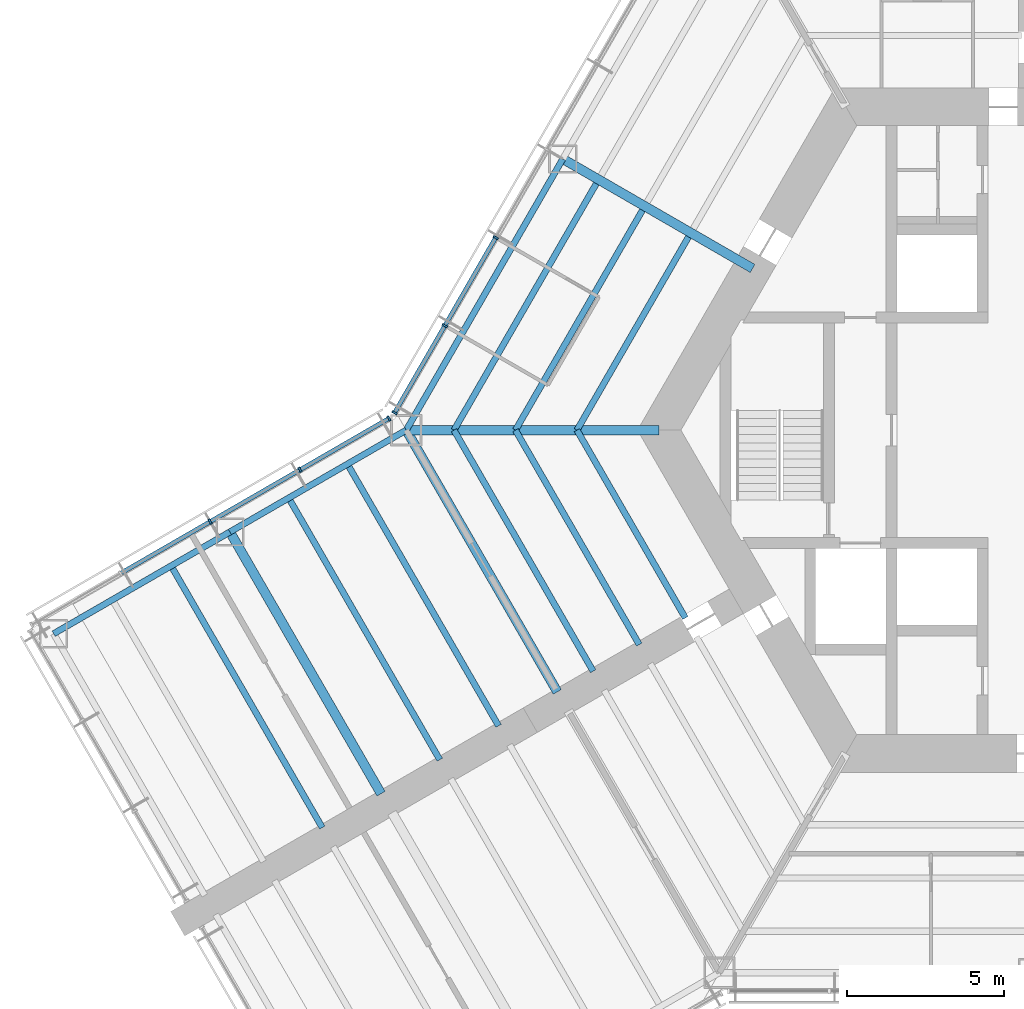
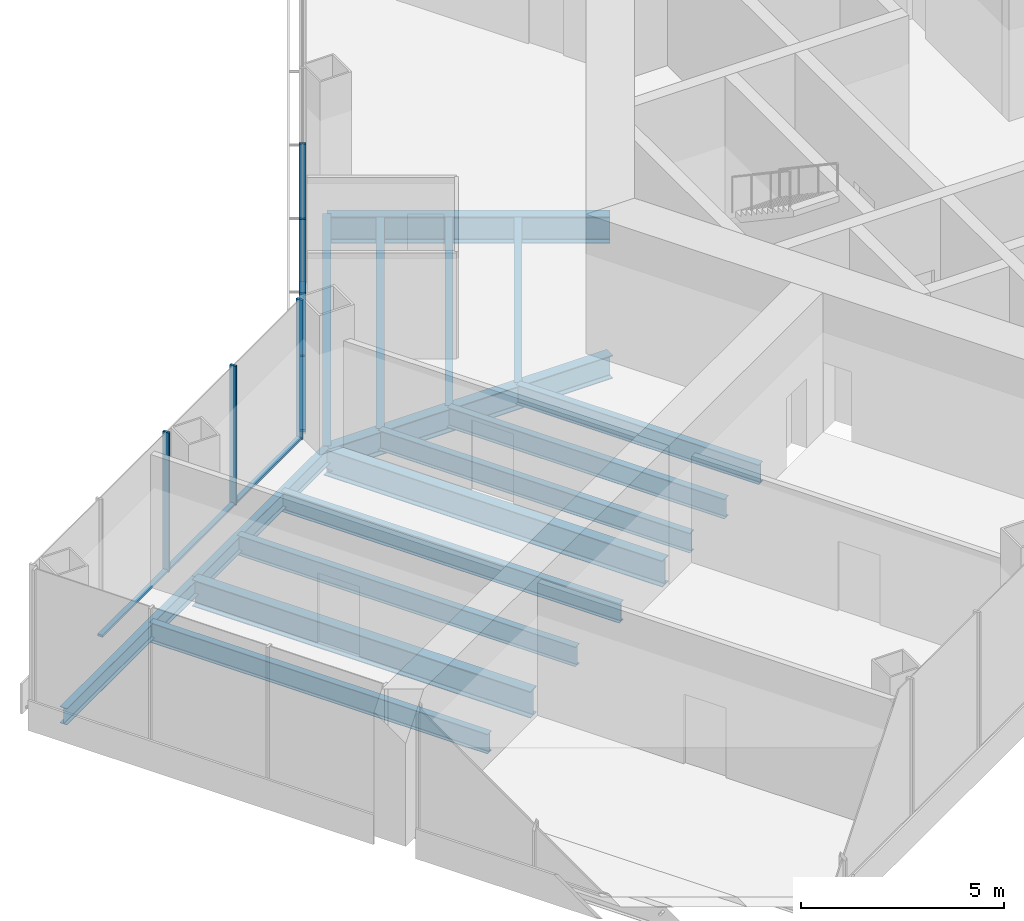
# One storey, part 3 of 16: 16 beams, 11 members, 2 elements without a shape of their own.
"""IFC4 building model written with IfcOpenShell, lengths in metres."""

from ifc_helpers import new_model, si_unit, direction, frame, origin, origin_2d, place, context, subcontext, project, spatial, rectangle, i_section, extrude, material, material_profile, profile_set, type_object, element, aggregate, save


model = new_model("IFC4")

# Units and contexts
model_context = context("Model", 3, precision=1e-05, world=origin(), true_north=direction((0.0, 1.0)))
body_context = subcontext(model_context, "Body", "Model", "MODEL_VIEW")
ifc_project = project(units=[si_unit("LENGTHUNIT", "METRE"), si_unit("AREAUNIT", "SQUARE_METRE"), si_unit("VOLUMEUNIT", "CUBIC_METRE"), si_unit("PLANEANGLEUNIT", "RADIAN"), si_unit("MASSUNIT", "GRAM", prefix="KILO")], contexts=[model_context])

# Site, building, storey
site_placement = place(None, origin())
site = spatial("IfcSite", under=ifc_project, at=site_placement, CompositionType="ELEMENT")
building_placement = place(site_placement, origin())
building = spatial("IfcBuilding", under=site, at=building_placement, Name="Kasaneha Research Tower", CompositionType="ELEMENT")
storey_placement = place(building_placement, frame((0.0, 0.0, 22.60009765625)))
storey = spatial("IfcBuildingStorey", under=building, at=storey_placement, Name="L06", CompositionType="ELEMENT", Elevation=22.60009765625)

# Beams
ifc_material_1 = material(Name="Steel SN490B", Category="steel")
ifc_material_profile_1 = material_profile(ifc_material_1, i_section(OverallWidth=0.199951171875, OverallDepth=0.60009765625, WebThickness=0.010986328125, FlangeThickness=0.01708984375, FilletRadius=0.012939453125, at=origin_2d()), Name="H-600x200x11x17")
ifc_profile_set_1 = profile_set([ifc_material_profile_1], Name="Steel SN490B")
beam_type_1 = type_object("IfcBeamType", Name="B1-1 secondary beam H-600x200x11x17", PredefinedType="JOIST", material=ifc_profile_set_1)
beam_1_placement = place(storey_placement, frame((-14.54931640625, 0.0, -0.5), z_axis=(0.500016104636, 0.866016105569, 0.0), x_axis=(-0.866016105569, 0.500016104636, 0.0)))
element("IfcBeam", 1, at=beam_1_placement, inside=storey, type_object=beam_type_1, Name="Secondary beam RS150R1 L06", PredefinedType="JOIST", context=body_context, shape_type="SweptSolid", body=[
    extrude(i_section(OverallWidth=0.199951171875, OverallDepth=0.60009765625, WebThickness=0.010986328125, FlangeThickness=0.01708984375, FilletRadius=0.012939453125, at=origin_2d()), origin(), (0.0, 0.0, 1.0), 7.124755859375),
])
beam_2_placement = place(storey_placement, frame((-16.51220703125, 0.0, -0.5), z_axis=(0.49999707157, 0.866027094508, 0.0), x_axis=(-0.866027094508, 0.49999707157, 0.0)))
element("IfcBeam", 2, at=beam_2_placement, inside=storey, type_object=beam_type_1, Name="Secondary beam RS150R2 L06", PredefinedType="JOIST", context=body_context, shape_type="SweptSolid", body=[
    extrude(i_section(OverallWidth=0.199951171875, OverallDepth=0.60009765625, WebThickness=0.010986328125, FlangeThickness=0.01708984375, FilletRadius=0.012939453125, at=origin_2d()), origin(), (0.0, 0.0, 1.0), 8.10595703125),
])
beam_3_placement = place(storey_placement, frame((-18.47509765625, 0.0, -0.5), z_axis=(0.499990665392, 0.866030793056, 0.0), x_axis=(-0.866030793056, 0.499990665392, 0.0)))
element("IfcBeam", 3, at=beam_3_placement, inside=storey, type_object=beam_type_1, Name="Secondary beam RS150R3 L06", PredefinedType="JOIST", context=body_context, shape_type="SweptSolid", body=[
    extrude(i_section(OverallWidth=0.199951171875, OverallDepth=0.60009765625, WebThickness=0.010986328125, FlangeThickness=0.01708984375, FilletRadius=0.012939453125, at=origin_2d()), origin(), (0.0, 0.0, 1.0), 9.087646484375),
])
beam_4_placement = place(storey_placement, frame((-14.54931640625, 0.0, -0.5), z_axis=(0.500014420154, -0.866017078145, 0.0), x_axis=(0.866017078145, 0.500014420154, 0.0)))
element("IfcBeam", 4, at=beam_4_placement, inside=storey, type_object=beam_type_1, Name="Secondary beam RS210L1 L06", PredefinedType="JOIST", context=body_context, shape_type="SweptSolid", body=[
    extrude(i_section(OverallWidth=0.199951171875, OverallDepth=0.60009765625, WebThickness=0.010986328125, FlangeThickness=0.01708984375, FilletRadius=0.012939453125, at=origin_2d()), origin(), (0.0, 0.0, 1.0), 6.924560546875),
])
beam_5_placement = place(storey_placement, frame((-16.51220703125, 0.0, -0.5), z_axis=(0.500004902938, -0.866022573054, 0.0), x_axis=(0.866022573054, 0.500004902938, 0.0)))
element("IfcBeam", 5, at=beam_5_placement, inside=storey, type_object=beam_type_1, Name="Secondary beam RS210L2 L06", PredefinedType="JOIST", context=body_context, shape_type="SweptSolid", body=[
    extrude(i_section(OverallWidth=0.199951171875, OverallDepth=0.60009765625, WebThickness=0.010986328125, FlangeThickness=0.01708984375, FilletRadius=0.012939453125, at=origin_2d()), origin(), (0.0, 0.0, 1.0), 7.90625),
])
beam_6_placement = place(storey_placement, frame((-18.47509765625, 0.0, -0.5), z_axis=(0.499988779951, -0.866031881586, 0.0), x_axis=(0.866031881586, 0.499988779951, 0.0)))
element("IfcBeam", 6, at=beam_6_placement, inside=storey, type_object=beam_type_1, Name="Secondary beam RS210L3 L06", PredefinedType="JOIST", context=body_context, shape_type="SweptSolid", body=[
    extrude(i_section(OverallWidth=0.199951171875, OverallDepth=0.60009765625, WebThickness=0.010986328125, FlangeThickness=0.01708984375, FilletRadius=0.012939453125, at=origin_2d()), origin(), (0.0, 0.0, 1.0), 8.887451171875),
])
ifc_material_2 = material(Name="Steel SN490B", Category="steel")
ifc_material_profile_2 = material_profile(ifc_material_2, i_section(OverallWidth=0.198974609375, OverallDepth=0.595947265625, WebThickness=0.010009765625, FlangeThickness=0.014892578125, FilletRadius=0.012939453125, at=origin_2d()), Name="H-596x199x10x15")
ifc_profile_set_2 = profile_set([ifc_material_profile_2], Name="Steel SN490B")
beam_type_2 = type_object("IfcBeamType", Name="B2-1 secondary beam H-596x199x10x15", PredefinedType="JOIST", material=ifc_profile_set_2)
beam_7_placement = place(storey_placement, frame((-21.87646484375, -1.083251953125, -0.498046875), z_axis=(0.500013717211, -0.866017484004, 0.0), x_axis=(0.866017484004, 0.500013717211, 0.0)))
element("IfcBeam", 7, at=beam_7_placement, inside=storey, type_object=beam_type_2, Name="Secondary beam WBBP1 L06", PredefinedType="JOIST", context=body_context, shape_type="SweptSolid", body=[
    extrude(i_section(OverallWidth=0.198974609375, OverallDepth=0.595947265625, WebThickness=0.010009765625, FlangeThickness=0.014892578125, FilletRadius=0.012939453125, at=origin_2d()), origin(), (0.0, 0.0, 1.0), 9.650146484375),
])
for number, where, z_axis, x_axis, name in (
    (8, (-23.752685546875, -2.166748046875, -0.498046875), (0.499994742786, -0.866028439017, 0.0), (0.866028439017, 0.499994742786, 0.0), "Secondary beam WBBP2 L06"),
    (9, (-27.505615234375, -4.333251953125, -0.498046875), (0.499994742786, -0.866028439017, 0.0), (0.866028439017, 0.499994742786, 0.0), "Secondary beam WBBP3 L06"),
):
    element("IfcBeam", number, at=place(storey_placement, frame(where, z_axis=z_axis, x_axis=x_axis)), inside=storey, type_object=beam_type_2, Name=name, PredefinedType="JOIST", context=body_context, shape_type="SweptSolid", body=[
        extrude(i_section(OverallWidth=0.198974609375, OverallDepth=0.595947265625, WebThickness=0.010009765625, FlangeThickness=0.014892578125, FilletRadius=0.012939453125, at=origin_2d()), origin(), (0.0, 0.0, 1.0), 9.64990234375),
    ])

# Curtain wall, members
ifc_material_3 = material(Name="Glass and aluminium", Category="aluminium")
curtain_wall_type = type_object("IfcCurtainWallType", Name="Wet laboratory curtain wall", PredefinedType="USERDEFINED", material=ifc_material_3)
curtain_wall_1_placement = place(storey_placement, origin())
curtain_wall_1 = element("IfcCurtainWall", 10, at=curtain_wall_1_placement, inside=storey, type_object=curtain_wall_type, Name="CW-L1 L06 run 12a", ObjectType="UNITISED CURTAIN WALL", PredefinedType="USERDEFINED")
ifc_material_4 = material(Name="Aluminium 6063-T6", Category="aluminium")
ifc_material_profile_3 = material_profile(ifc_material_4, rectangle(XDim=0.06494140625, YDim=0.179931640625, at=origin_2d()), Name="CW-L1 mullion 65x180")
ifc_profile_set_3 = profile_set([ifc_material_profile_3], Name="Aluminium 6063-T6")
member_type_1 = type_object("IfcMemberType", Name="CW-L1 mullion", PredefinedType="MULLION", material=ifc_profile_set_3)
member_1_placement = place(storey_placement, frame((-17.142822265625, 6.148681640625, 0.0), z_axis=(0.0, 0.0, 1.0), x_axis=(-0.49999996188, -0.866025425793, 0.0)))
member_1 = element("IfcMember", 11, at=member_1_placement, type_object=member_type_1, Name="CW-L1 mullion 5", PredefinedType="MULLION", context=body_context, shape_type="SweptSolid", body=[
    extrude(rectangle(XDim=0.06494140625, YDim=0.179931640625, at=origin_2d()), origin(), (0.0, 0.0, 1.0), 4.199951171875),
])
member_2_placement = place(storey_placement, frame((-18.76611328125, 3.33740234375, 0.0), z_axis=(0.0, 0.0, 1.0), x_axis=(-0.49999996188, -0.866025425793, 0.0)))
member_2 = element("IfcMember", 12, at=member_2_placement, type_object=member_type_1, Name="CW-L1 mullion 6", PredefinedType="MULLION", context=body_context, shape_type="SweptSolid", body=[
    extrude(rectangle(XDim=0.06494140625, YDim=0.179931640625, at=origin_2d()), origin(), (0.0, 0.0, 1.0), 4.199951171875),
])
member_3_placement = place(storey_placement, frame((-20.373046875, 0.553955078125, 0.0), z_axis=(0.0, 0.0, 1.0), x_axis=(-0.49999996188, -0.866025425793, 0.0)))
member_3 = element("IfcMember", 13, at=member_3_placement, type_object=member_type_1, Name="CW-L1 mullion 7", PredefinedType="MULLION", context=body_context, shape_type="SweptSolid", body=[
    extrude(rectangle(XDim=0.06494140625, YDim=0.179931640625, at=origin_2d()), origin(), (0.0, 0.0, 1.0), 4.199951171875),
])

curtain_wall_2_placement = place(storey_placement, origin())
curtain_wall_2 = element("IfcCurtainWall", 14, at=curtain_wall_2_placement, inside=storey, type_object=curtain_wall_type, Name="CW-L1 L06 run 13a", ObjectType="UNITISED CURTAIN WALL", PredefinedType="USERDEFINED")
member_4_placement = place(storey_placement, frame((-20.553955078125, 0.373046875, 0.0), z_axis=(0.0, 0.0, 1.0), x_axis=(-0.866025411464, -0.499999986699, 0.0)))
member_4 = element("IfcMember", 15, at=member_4_placement, type_object=member_type_1, Name="CW-L1 mullion 1", PredefinedType="MULLION", context=body_context, shape_type="SweptSolid", body=[
    extrude(rectangle(XDim=0.06494140625, YDim=0.179931640625, at=origin_2d()), origin(), (0.0, 0.0, 1.0), 4.199951171875),
])
member_5_placement = place(storey_placement, frame((-23.39208984375, -1.265625, 0.0), z_axis=(0.0, 0.0, 1.0), x_axis=(-0.866025411464, -0.499999986699, 0.0)))
member_5 = element("IfcMember", 16, at=member_5_placement, type_object=member_type_1, Name="CW-L1 mullion 2", PredefinedType="MULLION", context=body_context, shape_type="SweptSolid", body=[
    extrude(rectangle(XDim=0.06494140625, YDim=0.179931640625, at=origin_2d()), origin(), (0.0, 0.0, 1.0), 4.199951171875),
])
member_6_placement = place(storey_placement, frame((-26.258544921875, -2.920654296875, 0.0), z_axis=(0.0, 0.0, 1.0), x_axis=(-0.866025411464, -0.499999986699, 0.0)))
member_6 = element("IfcMember", 17, at=member_6_placement, type_object=member_type_1, Name="CW-L1 mullion 3", PredefinedType="MULLION", context=body_context, shape_type="SweptSolid", body=[
    extrude(rectangle(XDim=0.06494140625, YDim=0.179931640625, at=origin_2d()), origin(), (0.0, 0.0, 1.0), 4.199951171875),
])

# Member
ifc_material_5 = material(Name="Aluminium 6063-T6", Category="aluminium")
ifc_material_profile_4 = material_profile(ifc_material_5, rectangle(XDim=0.139892578125, YDim=0.06494140625, at=origin_2d()), Name="CW-L1 transom 140x65")
ifc_profile_set_4 = profile_set([ifc_material_profile_4], Name="Aluminium 6063-T6")
member_type_2 = type_object("IfcMemberType", Name="CW-L1 transom", PredefinedType="USERDEFINED", material=ifc_profile_set_4)
member_7_placement = place(storey_placement, frame((-17.1591796875, 6.12060546875, 0.032470703125), z_axis=(-0.499977104415, -0.866038622153, 0.0), x_axis=(0.866038622153, -0.499977104415, 0.0)))
member_7 = element("IfcMember", 18, at=member_7_placement, type_object=member_type_2, Name="CW-L1 transom 5", ObjectType="TRANSOM", PredefinedType="USERDEFINED", context=body_context, shape_type="SweptSolid", body=[
    extrude(rectangle(XDim=0.139892578125, YDim=0.06494140625, at=origin_2d()), origin(), (0.0, 0.0, 1.0), 3.181396484375),
])

member_8_placement = place(storey_placement, frame((-18.7822265625, 3.30908203125, 0.032470703125), z_axis=(-0.49999985423, -0.866025487945, 0.0), x_axis=(0.866025487945, -0.49999985423, 0.0)))
member_8 = element("IfcMember", 19, at=member_8_placement, type_object=member_type_2, Name="CW-L1 transom 6", ObjectType="TRANSOM", PredefinedType="USERDEFINED", context=body_context, shape_type="SweptSolid", body=[
    extrude(rectangle(XDim=0.139892578125, YDim=0.06494140625, at=origin_2d()), origin(), (0.0, 0.0, 1.0), 3.14892578125),
])

aggregate(curtain_wall_1, [member_1, member_2, member_3, member_7, member_8])

member_9_placement = place(storey_placement, frame((-20.58203125, 0.356689453125, 0.032470703125), z_axis=(-0.866022320763, -0.500005339912, 0.0), x_axis=(0.500005339912, -0.866022320763, 0.0)))
member_9 = element("IfcMember", 20, at=member_9_placement, type_object=member_type_2, Name="CW-L1 transom 1", ObjectType="TRANSOM", PredefinedType="USERDEFINED", context=body_context, shape_type="SweptSolid", body=[
    extrude(rectangle(XDim=0.139892578125, YDim=0.06494140625, at=origin_2d()), origin(), (0.0, 0.0, 1.0), 3.21240234375),
])

member_10_placement = place(storey_placement, frame((-23.42041015625, -1.281982421875, 0.032470703125), z_axis=(-0.866035229914, -0.499982980259, 0.0), x_axis=(0.499982980259, -0.866035229914, 0.0)))
member_10 = element("IfcMember", 21, at=member_10_placement, type_object=member_type_2, Name="CW-L1 transom 2", ObjectType="TRANSOM", PredefinedType="USERDEFINED", context=body_context, shape_type="SweptSolid", body=[
    extrude(rectangle(XDim=0.139892578125, YDim=0.06494140625, at=origin_2d()), origin(), (0.0, 0.0, 1.0), 3.24462890625),
])

member_11_placement = place(storey_placement, frame((-26.28662109375, -2.936767578125, 0.032470703125), z_axis=(-0.866021460221, -0.500006830391, 0.0), x_axis=(0.500006830391, -0.866021460221, 0.0)))
member_11 = element("IfcMember", 22, at=member_11_placement, type_object=member_type_2, Name="CW-L1 transom 3", ObjectType="TRANSOM", PredefinedType="USERDEFINED", context=body_context, shape_type="SweptSolid", body=[
    extrude(rectangle(XDim=0.139892578125, YDim=0.06494140625, at=origin_2d()), origin(), (0.0, 0.0, 1.0), 3.2451171875),
])

aggregate(curtain_wall_2, [member_4, member_5, member_6, member_9, member_10, member_11])

# Beams
ifc_material_6 = material(Name="Steel SN490B", Category="steel")
ifc_material_profile_5 = material_profile(ifc_material_6, i_section(OverallWidth=0.300048828125, OverallDepth=0.699951171875, WebThickness=0.012939453125, FlangeThickness=0.02392578125, FilletRadius=0.01806640625, at=origin_2d()), Name="H-700x300x13x24")
ifc_profile_set_5 = profile_set([ifc_material_profile_5], Name="Steel SN490B")
beam_type_3 = type_object("IfcBeamType", Name="G1-1 radial girder H-700x300x13x24", PredefinedType="BEAM", material=ifc_profile_set_5)
beam_8_placement = place(storey_placement, frame((-11.92236328125, 0.0, -0.550048828125), z_axis=(-1.0, 0.0, 0.0), x_axis=(0.0, -1.0, 0.0)))
element("IfcBeam", 23, at=beam_8_placement, inside=storey, type_object=beam_type_3, Name="Radial girder RV180 L06", PredefinedType="BEAM", context=body_context, shape_type="SweptSolid", body=[
    extrude(i_section(OverallWidth=0.300048828125, OverallDepth=0.699951171875, WebThickness=0.012939453125, FlangeThickness=0.02392578125, FilletRadius=0.01806640625, at=origin_2d()), origin(), (0.0, 0.0, 1.0), 8.07763671875),
])
ifc_material_7 = material(Name="Steel SN490B", Category="steel")
ifc_material_profile_6 = material_profile(ifc_material_7, i_section(OverallWidth=0.300048828125, OverallDepth=0.800048828125, WebThickness=0.013916015625, FlangeThickness=0.02587890625, FilletRadius=0.01806640625, at=origin_2d()), Name="H-800x300x14x26")
ifc_profile_set_6 = profile_set([ifc_material_profile_6], Name="Steel SN490B")
beam_type_4 = type_object("IfcBeamType", Name="G2-1 radial girder H-800x300x14x26", PredefinedType="BEAM", material=ifc_profile_set_6)
beam_9_placement = place(storey_placement, frame((-8.941650390625, 5.16259765625, -0.60009765625), z_axis=(-0.866039713508, 0.499975214012, 0.0), x_axis=(-0.499975214012, -0.866039713508, 0.0)))
element("IfcBeam", 24, at=beam_9_placement, inside=storey, type_object=beam_type_4, Name="Radial girder RM150 L06", PredefinedType="BEAM", context=body_context, shape_type="SweptSolid", body=[
    extrude(i_section(OverallWidth=0.300048828125, OverallDepth=0.800048828125, WebThickness=0.013916015625, FlangeThickness=0.02587890625, FilletRadius=0.01806640625, at=origin_2d()), origin(), (0.0, 0.0, 1.0), 6.995361328125),
])
ifc_material_8 = material(Name="Steel SN490B", Category="steel")
ifc_material_profile_7 = material_profile(ifc_material_8, i_section(OverallWidth=0.300048828125, OverallDepth=0.7919921875, WebThickness=0.013916015625, FlangeThickness=0.02197265625, FilletRadius=0.01806640625, at=origin_2d()), Name="H-792x300x14x22")
ifc_profile_set_7 = profile_set([ifc_material_profile_7], Name="Steel SN490B")
beam_type_5 = type_object("IfcBeamType", Name="G3-1 plate edge girder H-792x300x14x22", PredefinedType="BEAM", material=ifc_profile_set_7)
beam_10_placement = place(storey_placement, frame((-20.0, 0.0, -0.59619140625), z_axis=(0.499994742786, -0.866028439017, 0.0), x_axis=(0.866028439017, 0.499994742786, 0.0)))
element("IfcBeam", 25, at=beam_10_placement, inside=storey, type_object=beam_type_5, Name="Plate edge girder PEBP L06", PredefinedType="BEAM", context=body_context, shape_type="SweptSolid", body=[
    extrude(i_section(OverallWidth=0.300048828125, OverallDepth=0.7919921875, WebThickness=0.013916015625, FlangeThickness=0.02197265625, FilletRadius=0.01806640625, at=origin_2d()), origin(), (0.0, 0.0, 1.0), 9.64990234375),
])
ifc_material_9 = material(Name="Steel SN490B", Category="steel")
ifc_material_profile_8 = material_profile(ifc_material_9, i_section(OverallWidth=0.300048828125, OverallDepth=0.800048828125, WebThickness=0.013916015625, FlangeThickness=0.02587890625, FilletRadius=0.01806640625, at=origin_2d()), Name="H-800x300x14x26")
ifc_profile_set_8 = profile_set([ifc_material_profile_8], Name="Steel SN490B")
beam_type_6 = type_object("IfcBeamType", Name="G4-1 wing girder H-800x300x14x26", PredefinedType="BEAM", material=ifc_profile_set_8)
beam_11_placement = place(storey_placement, frame((-25.629150390625, -3.25, -0.60009765625), z_axis=(0.499994742786, -0.866028439017, 0.0), x_axis=(0.866028439017, 0.499994742786, 0.0)))
element("IfcBeam", 26, at=beam_11_placement, inside=storey, type_object=beam_type_6, Name="Wing girder WGBP L06", PredefinedType="BEAM", context=body_context, shape_type="SweptSolid", body=[
    extrude(i_section(OverallWidth=0.300048828125, OverallDepth=0.800048828125, WebThickness=0.013916015625, FlangeThickness=0.02587890625, FilletRadius=0.01806640625, at=origin_2d()), origin(), (0.0, 0.0, 1.0), 9.64990234375),
])
ifc_material_10 = material(Name="Steel SN490B", Category="steel")
ifc_material_profile_9 = material_profile(ifc_material_10, i_section(OverallWidth=0.199951171875, OverallDepth=0.60009765625, WebThickness=0.010986328125, FlangeThickness=0.01708984375, FilletRadius=0.012939453125, at=origin_2d()), Name="H-600x200x11x17")
ifc_profile_set_9 = profile_set([ifc_material_profile_9], Name="Steel SN490B")
beam_type_7 = type_object("IfcBeamType", Name="SB1-1 spandrel beam H-600x200x11x17", PredefinedType="SPANDREL", material=ifc_profile_set_9)
beam_12_placement = place(storey_placement, frame((-20.0, 0.0, -0.5), z_axis=(0.500004234368, 0.866022959057, 0.0), x_axis=(-0.866022959057, 0.500004234368, 0.0)))
element("IfcBeam", 27, at=beam_12_placement, inside=storey, type_object=beam_type_7, Name="Spandrel beam SR150R L06", PredefinedType="SPANDREL", context=body_context, shape_type="SweptSolid", body=[
    extrude(i_section(OverallWidth=0.199951171875, OverallDepth=0.60009765625, WebThickness=0.010986328125, FlangeThickness=0.01708984375, FilletRadius=0.012939453125, at=origin_2d()), origin(), (0.0, 0.0, 1.0), 10.0),
])
ifc_material_11 = material(Name="Steel SN490B", Category="steel")
ifc_material_profile_10 = material_profile(ifc_material_11, i_section(OverallWidth=0.199951171875, OverallDepth=0.5, WebThickness=0.010009765625, FlangeThickness=0.01611328125, FilletRadius=0.012939453125, at=origin_2d()), Name="H-500x200x10x16")
ifc_profile_set_10 = profile_set([ifc_material_profile_10], Name="Steel SN490B")
beam_type_8 = type_object("IfcBeamType", Name="SB2-1 spandrel beam H-500x200x10x16", PredefinedType="SPANDREL", material=ifc_profile_set_10)
for number, where, z_axis, x_axis, name in (
    (28, (-20.0, 0.0, -0.4501953125), (-0.866024837091, -0.50000098154, 0.0), (0.50000098154, -0.866024837091, 0.0), "Spandrel beam WSBP1 L06"),
    (29, (-25.629150390625, -3.25, -0.4501953125), (-0.866024837091, -0.50000098154, 0.0), (0.50000098154, -0.866024837091, 0.0), "Spandrel beam WSBP2 L06"),
):
    element("IfcBeam", number, at=place(storey_placement, frame(where, z_axis=z_axis, x_axis=x_axis)), inside=storey, type_object=beam_type_8, Name=name, PredefinedType="SPANDREL", context=body_context, shape_type="SweptSolid", body=[
        extrude(i_section(OverallWidth=0.199951171875, OverallDepth=0.5, WebThickness=0.010009765625, FlangeThickness=0.01611328125, FilletRadius=0.012939453125, at=origin_2d()), origin(), (0.0, 0.0, 1.0), 6.5),
    ])

save(model, "model.ifc")
